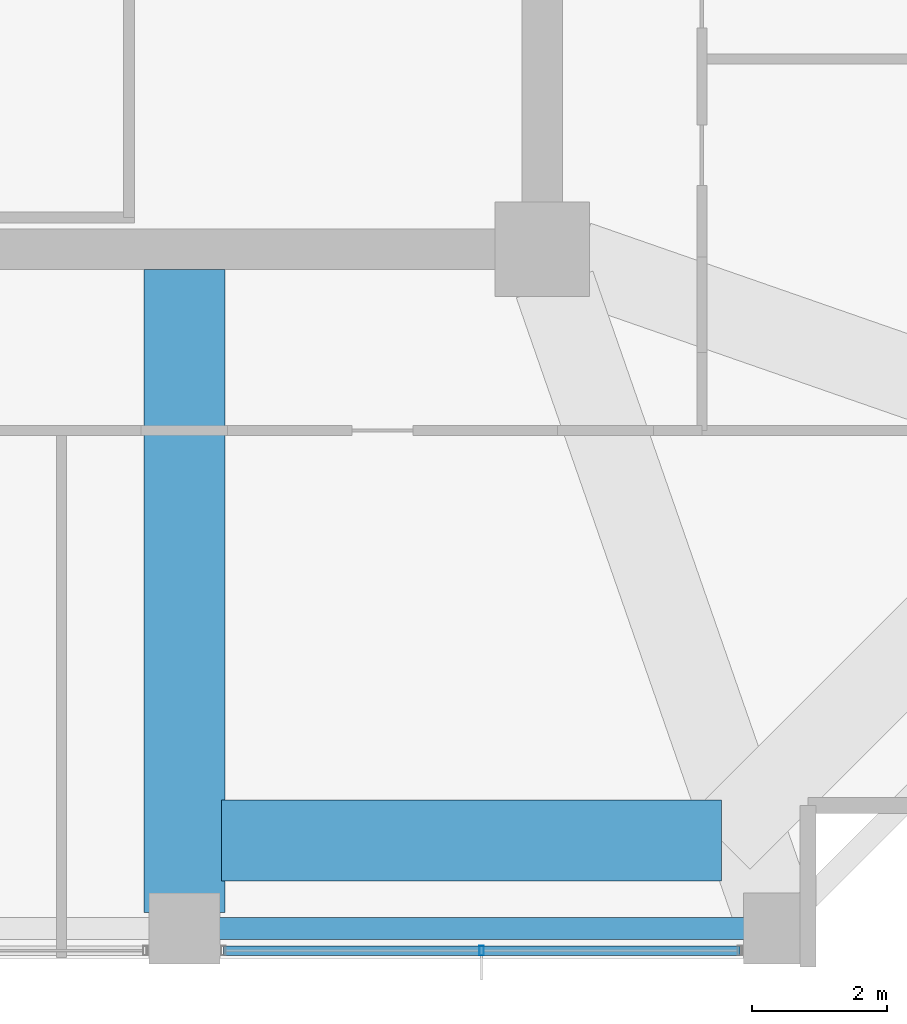
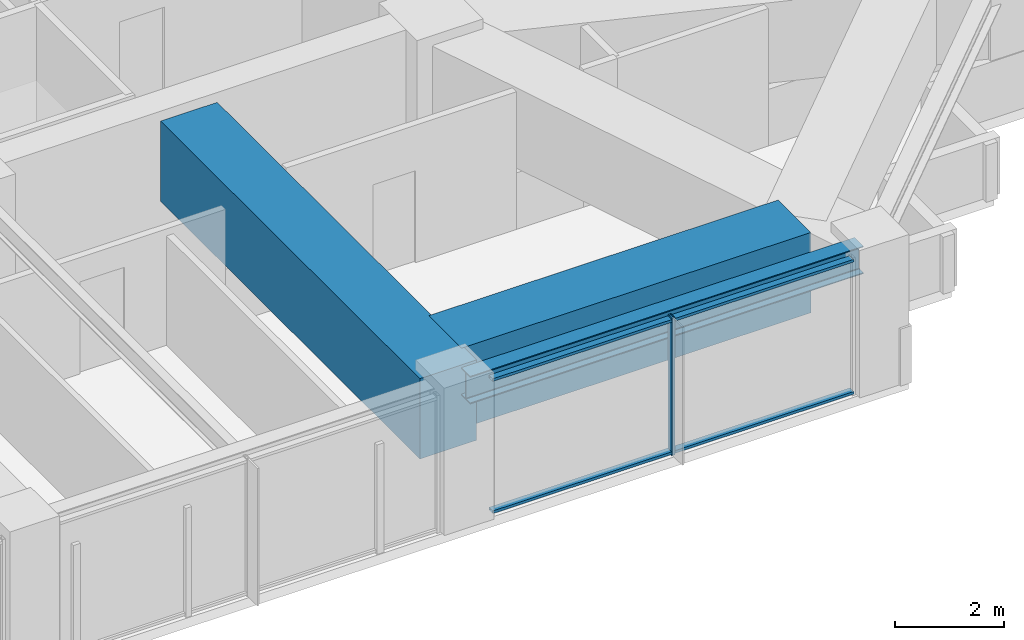
# One storey, part 7 of 34: 3 beams, 3 members, 1 element without a shape of its own.
"""IFC4 building model written with IfcOpenShell, lengths in metres."""

from ifc_helpers import new_model, si_unit, direction, frame, origin, origin_2d, place, context, subcontext, project, spatial, rectangle, hollow_rectangle, i_section, extrude, material, material_profile, profile_set, type_object, element, aggregate, save


model = new_model("IFC4")

# Units and contexts
model_context = context("Model", 3, precision=1e-05, world=origin(), true_north=direction((0.0, 1.0)))
body_context = subcontext(model_context, "Body", "Model", "MODEL_VIEW")
ifc_project = project(units=[si_unit("LENGTHUNIT", "METRE"), si_unit("AREAUNIT", "SQUARE_METRE"), si_unit("VOLUMEUNIT", "CUBIC_METRE"), si_unit("PLANEANGLEUNIT", "RADIAN"), si_unit("MASSUNIT", "GRAM", prefix="KILO")], contexts=[model_context])

# Site, building, storey
site_placement = place(None, origin())
site = spatial("IfcSite", under=ifc_project, at=site_placement, CompositionType="ELEMENT")
building_placement = place(site_placement, origin())
building = spatial("IfcBuilding", under=site, at=building_placement, Name="Kolvaren Belvedere", CompositionType="ELEMENT")
storey_placement = place(building_placement, frame((0.0, 0.0, 105.199951171875)))
storey = spatial("IfcBuildingStorey", under=building, at=storey_placement, Name="L30", CompositionType="ELEMENT", Elevation=105.199951171875)

# Beams
ifc_material_1 = material(Name="Structural steel ASTM A992 Grade 50", Category="steel")
ifc_material_profile_1 = material_profile(ifc_material_1, i_section(OverallWidth=0.324951171875, OverallDepth=0.615966796875, WebThickness=0.013916015625, FlangeThickness=0.021484375, FilletRadius=0.02001953125, at=origin_2d()), Name="W24X117")
ifc_profile_set_1 = profile_set([ifc_material_profile_1], Name="Structural steel ASTM A992 Grade 50")
beam_type_1 = type_object("IfcBeamType", Name="BM-SPAN-W24X117", PredefinedType="SPANDREL", material=ifc_profile_set_1)
beam_1_placement = place(storey_placement, frame((4.836181640625, -19.949951171875, 2.77197265625), z_axis=(1.0, 0.0, 0.0), x_axis=(0.0, 1.0, 0.0)))
element("IfcBeam", 1, at=beam_1_placement, inside=storey, type_object=beam_type_1, Name="L30 Perimeter Spandrel S3-S4", PredefinedType="SPANDREL", context=body_context, shape_type="SweptSolid", body=[
    extrude(i_section(OverallWidth=0.324951171875, OverallDepth=0.615966796875, WebThickness=0.013916015625, FlangeThickness=0.021484375, FilletRadius=0.02001953125, at=origin_2d()), origin(), (0.0, 0.0, 1.0), 8.32763671875),
])
ifc_material_2 = material(Name="Concrete C50/60", Category="concrete")
ifc_material_profile_2 = material_profile(ifc_material_2, rectangle(XDim=1.199951171875, YDim=1.800048828125, at=origin_2d()), Name="RC 1200X1800")
ifc_profile_set_2 = profile_set([ifc_material_profile_2], Name="Concrete C50/60")
beam_type_2 = type_object("IfcBeamType", Name="BM-TG-1800", PredefinedType="BEAM", material=ifc_profile_set_2)
beam_2_placement = place(storey_placement, frame((5.14990234375, -18.64990234375, 2.179931640625), z_axis=(1.0, 0.0, 0.0), x_axis=(0.0, 1.0, 0.0)))
element("IfcBeam", 2, at=beam_2_placement, inside=storey, type_object=beam_type_2, Name="L30 Step Transfer Ring Girder S3-S4", PredefinedType="BEAM", context=body_context, shape_type="SweptSolid", body=[
    extrude(rectangle(XDim=1.199951171875, YDim=1.800048828125, at=origin_2d()), origin(), (0.0, 0.0, 1.0), 7.400146484375),
])
beam_3_placement = place(storey_placement, frame((4.60009765625, -10.199951171875, 2.179931640625), z_axis=(0.0, -1.0, 0.0), x_axis=(1.0, 0.0, 0.0)))
element("IfcBeam", 3, at=beam_3_placement, inside=storey, type_object=beam_type_2, Name="L30 South Radial Girder P", PredefinedType="BEAM", context=body_context, shape_type="SweptSolid", body=[
    extrude(rectangle(XDim=1.199951171875, YDim=1.800048828125, at=origin_2d()), origin(), (0.0, 0.0, 1.0), 9.513916015625),
])

# Curtain wall, members
ifc_material_3 = material(Name="Anodised pale-metal aluminium AA 6063-T6", Category="aluminium")
curtain_wall_type = type_object("IfcCurtainWallType", Name="CW-Z2-MID", PredefinedType="NOTDEFINED", material=ifc_material_3)
curtain_wall_placement = place(storey_placement, origin())
curtain_wall = element("IfcCurtainWall", 4, at=curtain_wall_placement, inside=storey, type_object=curtain_wall_type, Name="L30 Unitised Curtain Wall FCW-L30-S-B1", PredefinedType="NOTDEFINED")
ifc_material_4 = material(Name="Anodised pale-metal aluminium AA 6063-T6", Category="aluminium")
ifc_material_profile_3 = material_profile(ifc_material_4, hollow_rectangle(XDim=0.06494140625, YDim=0.139892578125, WallThickness=0.00390625, at=origin_2d()), Name="ALU-MUL-140X65")
ifc_profile_set_3 = profile_set([ifc_material_profile_3], Name="Anodised pale-metal aluminium AA 6063-T6")
member_type_1 = type_object("IfcMemberType", Name="CW-MUL-140", PredefinedType="MULLION", material=ifc_profile_set_3)
member_1_placement = place(storey_placement, frame((9.0, -20.280029296875, 0.0), z_axis=(0.0, 0.0, 1.0), x_axis=(1.0, 0.0, 0.0)))
member_1 = element("IfcMember", 5, at=member_1_placement, type_object=member_type_1, Name="FCW-L30-S-B1 Unitised Mullion 2", PredefinedType="MULLION", context=body_context, shape_type="SweptSolid", body=[
    extrude(hollow_rectangle(XDim=0.06494140625, YDim=0.139892578125, WallThickness=0.00390625, at=origin_2d()), origin(), (0.0, 0.0, 1.0), 3.080078125),
])
ifc_material_5 = material(Name="Anodised pale-metal aluminium AA 6063-T6", Category="aluminium")
ifc_material_profile_4 = material_profile(ifc_material_5, hollow_rectangle(XDim=0.06005859375, YDim=0.139892578125, WallThickness=0.00390625, at=origin_2d()), Name="ALU-TRN-140X60")
ifc_profile_set_4 = profile_set([ifc_material_profile_4], Name="Anodised pale-metal aluminium AA 6063-T6")
member_type_2 = type_object("IfcMemberType", Name="CW-TRN-140", PredefinedType="USERDEFINED", material=ifc_profile_set_4)
member_2_placement = place(storey_placement, frame((12.822509765625, -20.280029296875, 0.06005859375), z_axis=(-1.0, 0.0, 0.0), x_axis=(0.0, 0.0, 1.0)))
member_2 = element("IfcMember", 6, at=member_2_placement, type_object=member_type_2, Name="FCW-L30-S-B1 Sill Transom", ObjectType="TRANSOM", PredefinedType="USERDEFINED", context=body_context, shape_type="SweptSolid", body=[
    extrude(hollow_rectangle(XDim=0.06005859375, YDim=0.139892578125, WallThickness=0.00390625, at=origin_2d()), origin(), (0.0, 0.0, 1.0), 7.64501953125),
])
member_3_placement = place(storey_placement, frame((12.822509765625, -20.280029296875, 3.02001953125), z_axis=(-1.0, 0.0, 0.0), x_axis=(0.0, 0.0, 1.0)))
member_3 = element("IfcMember", 7, at=member_3_placement, type_object=member_type_2, Name="FCW-L30-S-B1 Head Transom", ObjectType="TRANSOM", PredefinedType="USERDEFINED", context=body_context, shape_type="SweptSolid", body=[
    extrude(hollow_rectangle(XDim=0.06005859375, YDim=0.139892578125, WallThickness=0.00390625, at=origin_2d()), origin(), (0.0, 0.0, 1.0), 7.64501953125),
])
aggregate(curtain_wall, [member_1, member_2, member_3])

save(model, "model.ifc")
